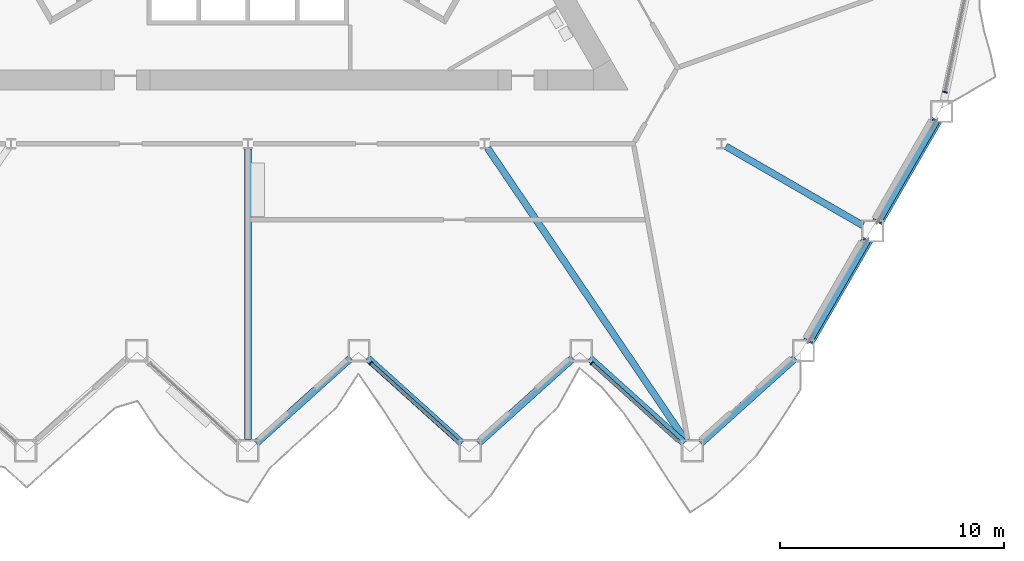
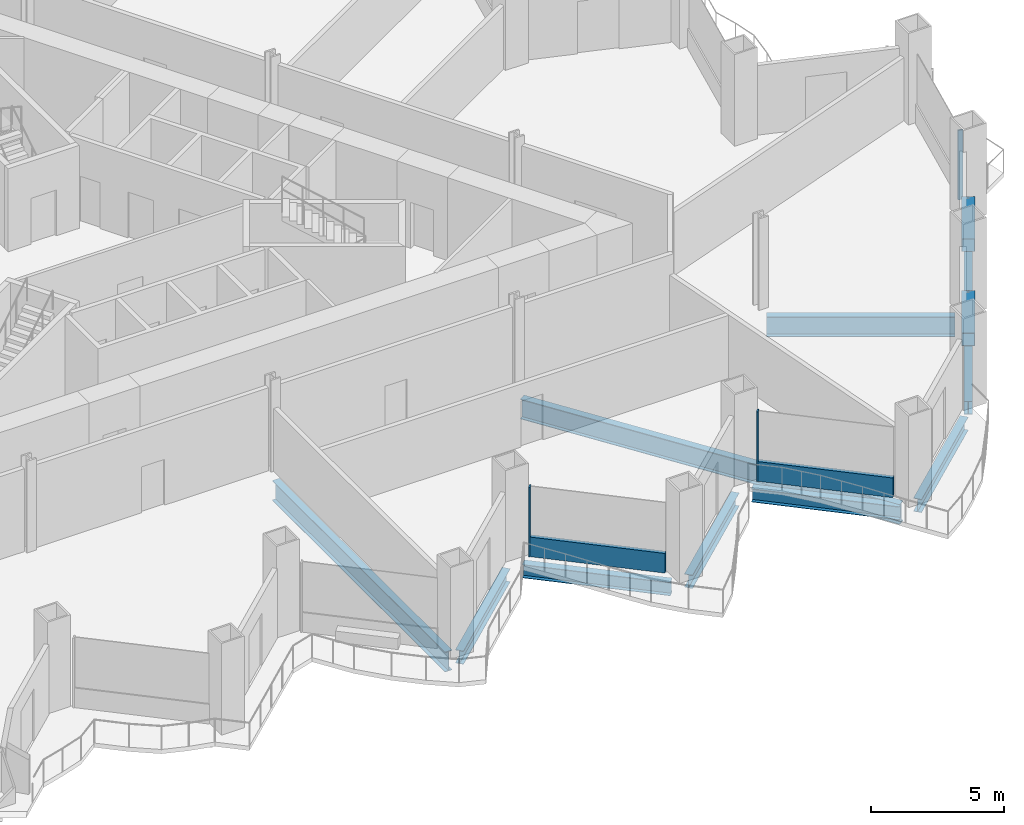
# One storey, part 4 of 21: 10 beams, 7 members, 3 elements without a shape of their own.
"""IFC4 building model written with IfcOpenShell, lengths in metres."""

from ifc_helpers import new_model, si_unit, direction, frame, origin, origin_2d, place, context, subcontext, project, spatial, rectangle, hollow_rectangle, i_section, extrude, material, layer, layer_set, material_profile, profile_set, type_object, element, aggregate, save


model = new_model("IFC4")

# Units and contexts
model_context = context("Model", 3, precision=1e-05, world=origin(), true_north=direction((0.0, 1.0)))
body_context = subcontext(model_context, "Body", "Model", "MODEL_VIEW")
ifc_project = project(units=[si_unit("LENGTHUNIT", "METRE"), si_unit("AREAUNIT", "SQUARE_METRE"), si_unit("VOLUMEUNIT", "CUBIC_METRE"), si_unit("PLANEANGLEUNIT", "RADIAN"), si_unit("MASSUNIT", "GRAM", prefix="KILO")], contexts=[model_context])

# Site, building, storey
site_placement = place(None, origin())
site = spatial("IfcSite", under=ifc_project, at=site_placement, CompositionType="ELEMENT")
building_placement = place(site_placement, origin())
building = spatial("IfcBuilding", under=site, at=building_placement, Name="Cormorant Prow Tower", CompositionType="ELEMENT")
storey_placement = place(building_placement, frame((0.0, 0.0, 80.39990234375)))
storey = spatial("IfcBuildingStorey", under=building, at=storey_placement, Name="L17", CompositionType="ELEMENT", Elevation=80.39990234375)

# Members
ifc_material_1 = material(Name="Structural steel ASTM A500 Gr C", Category="steel")
ifc_material_profile_1 = material_profile(ifc_material_1, hollow_rectangle(XDim=0.508056640625, YDim=0.508056640625, WallThickness=0.014892578125, at=origin_2d()), Name="HSS20x20x5/8")
ifc_profile_set_1 = profile_set([ifc_material_profile_1], Name="Structural steel ASTM A500 Gr C")
member_type_1 = type_object("IfcMemberType", Name="Chamfer brace HSS20x20x5/8", PredefinedType="BRACE", material=ifc_profile_set_1)
member_1_placement = place(storey_placement, frame((27.65576171875, -16.566162109375, 0.767333984375), z_axis=(-0.47589308504, -0.824244468952, 0.306833549359), x_axis=(0.866018434186, -0.500012071504, 0.0)))
element("IfcMember", 1, at=member_1_placement, inside=storey, type_object=member_type_1, Name="Chamfer brace BR1 at ESE00 L17", PredefinedType="BRACE", context=body_context, shape_type="SweptSolid", body=[
    extrude(hollow_rectangle(XDim=0.508056640625, YDim=0.508056640625, WallThickness=0.014892578125, at=origin_2d()), origin(), (0.0, 0.0, 1.0), 5.392333984375),
])
member_2_placement = place(storey_placement, frame((30.74072265625, -11.222900390625, 0.767333984375), z_axis=(-0.475875326044, -0.824258984489, 0.306822099191), x_axis=(0.866030326616, -0.499991473309, 0.0)))
element("IfcMember", 2, at=member_2_placement, inside=storey, type_object=member_type_1, Name="Chamfer brace BR1 at ESE01 L17", PredefinedType="BRACE", context=body_context, shape_type="SweptSolid", body=[
    extrude(hollow_rectangle(XDim=0.508056640625, YDim=0.508056640625, WallThickness=0.014892578125, at=origin_2d()), origin(), (0.0, 0.0, 1.0), 5.392578125),
])

# Curtain wall, member
ifc_material_2 = material(Name="Aluminium 6063-T6", Category="aluminium")
ifc_layer = layer(ifc_material_2, 0.199951171875)
ifc_layer_set = layer_set([ifc_layer], Name="Aluminium 6063-T6")
curtain_wall_type = type_object("IfcCurtainWallType", Name="Office unitised curtain wall 200", PredefinedType="NOTDEFINED", material=ifc_layer_set)
curtain_wall_1_placement = place(storey_placement, origin())
curtain_wall_1 = element("IfcCurtainWall", 3, at=curtain_wall_1_placement, inside=storey, type_object=curtain_wall_type, Name="Office curtain wall S06", PredefinedType="NOTDEFINED")
ifc_material_3 = material(Name="Aluminium 6063-T6", Category="aluminium")
ifc_material_profile_2 = material_profile(ifc_material_3, rectangle(XDim=0.199951171875, YDim=0.06005859375, at=origin_2d()), Name="Office mullion 60x200")
ifc_profile_set_2 = profile_set([ifc_material_profile_2], Name="Aluminium 6063-T6")
member_type_2 = type_object("IfcMemberType", Name="Office mullion 60x200", PredefinedType="MULLION", material=ifc_profile_set_2)
member_3_placement = place(storey_placement, frame((5.485107421875, -22.0244140625, 0.0), z_axis=(0.0, 0.0, 1.0), x_axis=(0.669130543712, 0.743144881885, 0.0)))
member_3 = element("IfcMember", 4, at=member_3_placement, type_object=member_type_2, Name="Office mullion S06", PredefinedType="MULLION", context=body_context, shape_type="SweptSolid", body=[
    extrude(rectangle(XDim=0.199951171875, YDim=0.06005859375, at=origin_2d()), origin(), (0.0, 0.0, 1.0), 3.18896484375),
])

curtain_wall_2_placement = place(storey_placement, origin())
curtain_wall_2 = element("IfcCurtainWall", 5, at=curtain_wall_2_placement, inside=storey, type_object=curtain_wall_type, Name="Office curtain wall S08", PredefinedType="NOTDEFINED")
member_4_placement = place(storey_placement, frame((15.365966796875, -22.0244140625, 0.0), z_axis=(0.0, 0.0, 1.0), x_axis=(0.669130543712, 0.743144881885, 0.0)))
member_4 = element("IfcMember", 6, at=member_4_placement, type_object=member_type_2, Name="Office mullion S08", PredefinedType="MULLION", context=body_context, shape_type="SweptSolid", body=[
    extrude(rectangle(XDim=0.199951171875, YDim=0.06005859375, at=origin_2d()), origin(), (0.0, 0.0, 1.0), 3.18896484375),
])

curtain_wall_3_placement = place(storey_placement, origin())
curtain_wall_3 = element("IfcCurtainWall", 7, at=curtain_wall_3_placement, inside=storey, type_object=curtain_wall_type, Name="Office curtain wall ENE00", PredefinedType="NOTDEFINED")
member_5_placement = place(storey_placement, frame((31.15234375, -9.90869140625, 0.0), z_axis=(0.0, 0.0, 1.0), x_axis=(-0.978147594021, 0.207911722401, 0.0)))
member_5 = element("IfcMember", 8, at=member_5_placement, type_object=member_type_2, Name="Office mullion ENE00", PredefinedType="MULLION", context=body_context, shape_type="SweptSolid", body=[
    extrude(rectangle(XDim=0.199951171875, YDim=0.06005859375, at=origin_2d()), origin(), (0.0, 0.0, 1.0), 3.18896484375),
])
aggregate(curtain_wall_3, [member_5])

# Member
ifc_material_4 = material(Name="Terracotta", Category="masonry")
ifc_material_profile_3 = material_profile(ifc_material_4, rectangle(XDim=0.159912109375, YDim=0.89990234375, at=origin_2d()), Name="Office terracotta spandrel rail 160x900")
ifc_profile_set_3 = profile_set([ifc_material_profile_3], Name="Terracotta")
member_type_3 = type_object("IfcMemberType", Name="Office terracotta spandrel rail 160x900", PredefinedType="USERDEFINED", material=ifc_profile_set_3)
member_6_placement = place(storey_placement, frame((5.507568359375, -22.04443359375, 0.4501953125), z_axis=(0.743123107332, -0.669154726015, 0.0), x_axis=(0.669154726015, 0.743123107332, 0.0)))
member_6 = element("IfcMember", 9, at=member_6_placement, type_object=member_type_3, Name="Office spandrel rail S06", ObjectType="TRANSOM", PredefinedType="USERDEFINED", context=body_context, shape_type="SweptSolid", body=[
    extrude(rectangle(XDim=0.159912109375, YDim=0.89990234375, at=origin_2d()), origin(), (0.0, 0.0, 1.0), 5.181884765625),
])

aggregate(curtain_wall_1, [member_3, member_6])

member_7_placement = place(storey_placement, frame((15.388427734375, -22.04443359375, 0.4501953125), z_axis=(0.743123107332, -0.669154726015, 0.0), x_axis=(0.669154726015, 0.743123107332, 0.0)))
member_7 = element("IfcMember", 10, at=member_7_placement, type_object=member_type_3, Name="Office spandrel rail S08", ObjectType="TRANSOM", PredefinedType="USERDEFINED", context=body_context, shape_type="SweptSolid", body=[
    extrude(rectangle(XDim=0.159912109375, YDim=0.89990234375, at=origin_2d()), origin(), (0.0, 0.0, 1.0), 5.181884765625),
])

aggregate(curtain_wall_2, [member_4, member_7])

# Beams
ifc_material_5 = material(Name="Structural steel ASTM A992 Gr 50", Category="steel")
ifc_material_profile_4 = material_profile(ifc_material_5, i_section(OverallWidth=0.3046875, OverallDepth=0.914794921875, WebThickness=0.0166015625, FlangeThickness=0.02587890625, at=origin_2d()), Name="W36x160")
ifc_profile_set_4 = profile_set([ifc_material_profile_4], Name="Structural steel ASTM A992 Gr 50")
beam_type_1 = type_object("IfcBeamType", Name="Radial floor beam W36x160", PredefinedType="BEAM", material=ifc_profile_set_4)
beam_1_placement = place(storey_placement, frame((0.0, -12.447265625, -0.857177734375), z_axis=(0.0, -1.0, 0.0), x_axis=(1.0, 0.0, 0.0)))
element("IfcBeam", 11, at=beam_1_placement, inside=storey, type_object=beam_type_1, Name="Radial floor beam FB1 7 L17", PredefinedType="BEAM", context=body_context, shape_type="SweptSolid", body=[
    extrude(i_section(OverallWidth=0.3046875, OverallDepth=0.914794921875, WebThickness=0.0166015625, FlangeThickness=0.02587890625, at=origin_2d()), origin(), (0.0, 0.0, 1.0), 12.984130859375),
])
beam_2_placement = place(storey_placement, frame((10.708740234375, -12.4072265625, -0.857177734375), z_axis=(0.560597160775, -0.828088656685, 0.0), x_axis=(0.828088656685, 0.560597160775, 0.0)))
element("IfcBeam", 12, at=beam_2_placement, inside=storey, type_object=beam_type_1, Name="Radial floor beam FB1 8 L17", PredefinedType="BEAM", context=body_context, shape_type="SweptSolid", body=[
    extrude(i_section(OverallWidth=0.3046875, OverallDepth=0.914794921875, WebThickness=0.0166015625, FlangeThickness=0.02587890625, at=origin_2d()), origin(), (0.0, 0.0, 1.0), 15.831787109375),
])
beam_3_placement = place(storey_placement, frame((21.358154296875, -12.3310546875, -0.857177734375), z_axis=(0.866014253463, -0.500019312426, 0.0), x_axis=(0.500019312426, 0.866014253463, 0.0)))
element("IfcBeam", 13, at=beam_3_placement, inside=storey, type_object=beam_type_1, Name="Radial floor beam FB1 9 L17", PredefinedType="BEAM", context=body_context, shape_type="SweptSolid", body=[
    extrude(i_section(OverallWidth=0.3046875, OverallDepth=0.914794921875, WebThickness=0.0166015625, FlangeThickness=0.02587890625, at=origin_2d()), origin(), (0.0, 0.0, 1.0), 7.071533203125),
])
ifc_material_6 = material(Name="Structural steel ASTM A992 Gr 50", Category="steel")
ifc_material_profile_5 = material_profile(ifc_material_6, i_section(OverallWidth=0.32373046875, OverallDepth=0.611083984375, WebThickness=0.0126953125, FlangeThickness=0.01904296875, at=origin_2d()), Name="W24x104")
ifc_profile_set_5 = profile_set([ifc_material_profile_5], Name="Structural steel ASTM A992 Gr 50")
beam_type_2 = type_object("IfcBeamType", Name="Spandrel beam W24x104", PredefinedType="SPANDREL", material=ifc_profile_set_5)
for number, where, z_axis, x_axis, name in (
    (14, (0.37158203125, -25.596923828125, -0.70556640625), (0.743129630386, 0.669147481833, 0.0), (-0.669147481833, 0.743129630386, 0.0), "Spandrel beam SB1 S05-S06 L17"),
    (15, (5.337646484375, -21.79443359375, -0.70556640625), (0.743129630386, -0.669147481833, 0.0), (0.669147481833, 0.743129630386, 0.0), "Spandrel beam SB1 S06-S07 L17"),
    (16, (10.3037109375, -25.596923828125, -0.70556640625), (0.743129630386, 0.669147481833, 0.0), (-0.669147481833, 0.743129630386, 0.0), "Spandrel beam SB1 S07-S08 L17"),
    (17, (15.269775390625, -21.79443359375, -0.70556640625), (0.743129630386, -0.669147481833, 0.0), (0.669147481833, 0.743129630386, 0.0), "Spandrel beam SB1 S08-S09 L17"),
    (18, (20.23583984375, -25.596923828125, -0.70556640625), (0.743129630386, 0.669147481833, 0.0), (-0.669147481833, 0.743129630386, 0.0), "Spandrel beam SB1 S09-ESE00 L17"),
):
    element("IfcBeam", number, at=place(storey_placement, frame(where, z_axis=z_axis, x_axis=x_axis)), inside=storey, type_object=beam_type_2, Name=name, PredefinedType="SPANDREL", context=body_context, shape_type="SweptSolid", body=[
        extrude(i_section(OverallWidth=0.32373046875, OverallDepth=0.611083984375, WebThickness=0.0126953125, FlangeThickness=0.01904296875, at=origin_2d()), origin(), (0.0, 0.0, 1.0), 5.6826171875),
    ])
for number, where, z_axis, x_axis, name in (
    (19, (25.080322265625, -21.02685546875, -0.70556640625), (0.500019507279, 0.866014140959, 0.0), (-0.866014140959, 0.500019507279, 0.0), "Spandrel beam SB1 ESE00-ESE01 L17"),
    (20, (28.165283203125, -15.683837890625, -0.70556640625), (0.49998408811, 0.866034590324, 0.0), (-0.866034590324, 0.49998408811, 0.0), "Spandrel beam SB1 ESE01-ENE00 L17"),
):
    element("IfcBeam", number, at=place(storey_placement, frame(where, z_axis=z_axis, x_axis=x_axis)), inside=storey, type_object=beam_type_2, Name=name, PredefinedType="SPANDREL", context=body_context, shape_type="SweptSolid", body=[
        extrude(i_section(OverallWidth=0.32373046875, OverallDepth=0.611083984375, WebThickness=0.0126953125, FlangeThickness=0.01904296875, at=origin_2d()), origin(), (0.0, 0.0, 1.0), 5.169677734375),
    ])

save(model, "model.ifc")
